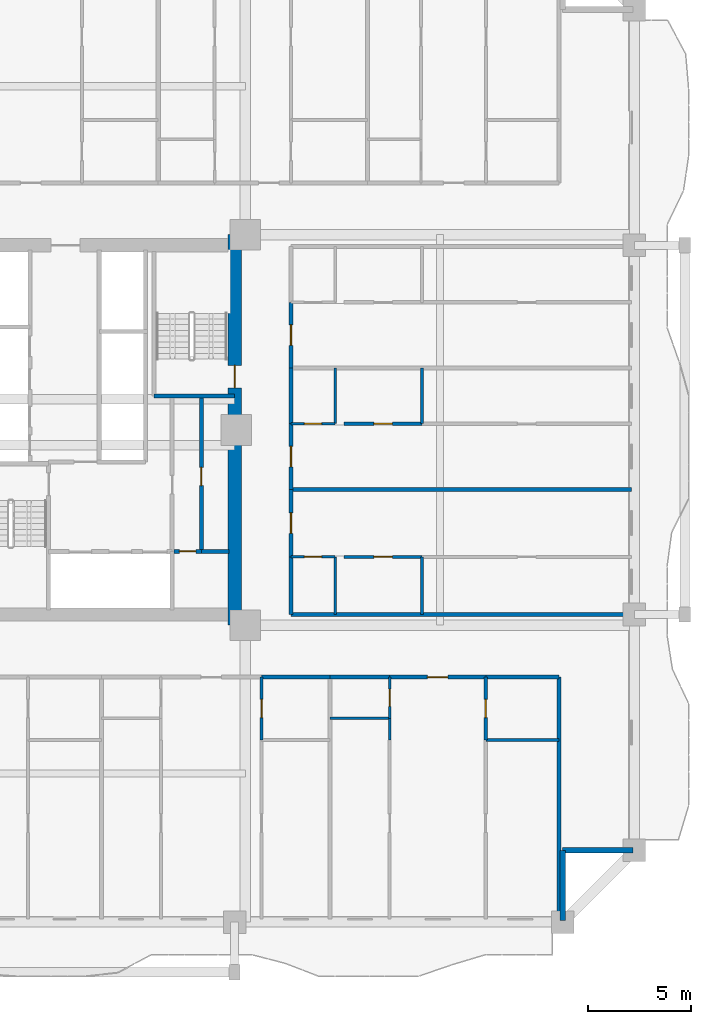
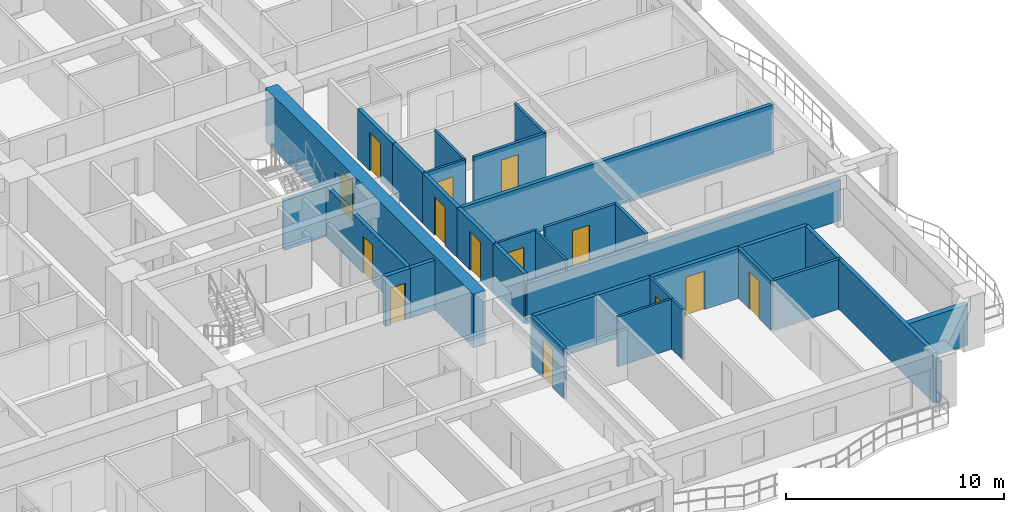
# One storey, part 5 of 18: 33 walls, 14 doors, 14 openings.
"""IFC4 building model written with IfcOpenShell, lengths in metres."""

from ifc_helpers import new_model, si_unit, direction, frame, frame_2d, origin, place, context, subcontext, project, spatial, rectangle, extrude, source, transform, mapped, material, layer, layer_set, type_object, element, fill, save


model = new_model("IFC4")

# Units and contexts
model_context = context("Model", 3, precision=1e-05, world=origin(), true_north=direction((0.0, 1.0)))
body_context = subcontext(model_context, "Body", "Model", "MODEL_VIEW")
ifc_project = project(units=[si_unit("LENGTHUNIT", "METRE"), si_unit("AREAUNIT", "SQUARE_METRE"), si_unit("VOLUMEUNIT", "CUBIC_METRE"), si_unit("PLANEANGLEUNIT", "RADIAN"), si_unit("MASSUNIT", "GRAM", prefix="KILO")], contexts=[model_context])

# Site, building, storey
site_placement = place(None, origin())
site = spatial("IfcSite", under=ifc_project, at=site_placement, CompositionType="ELEMENT")
building_placement = place(site_placement, origin())
building = spatial("IfcBuilding", under=site, at=building_placement, Name="Saelheon Loggia Tower", CompositionType="ELEMENT")
storey_placement = place(building_placement, frame((0.0, 0.0, 40.39990234375)))
storey = spatial("IfcBuildingStorey", under=building, at=storey_placement, Name="L12", CompositionType="ELEMENT", Elevation=40.39990234375)

# Wall, opening, door
ifc_material_1 = material(Name="Concrete C60/75", Category="concrete")
ifc_layer_1 = layer(ifc_material_1, 0.64990234375)
ifc_layer_set_1 = layer_set([ifc_layer_1], Name="Concrete C60/75")
wall_type_1 = type_object("IfcWallType", Name="Wall_CoreShear_650", PredefinedType="SHEAR", material=ifc_layer_set_1)
wall_1_placement = place(storey_placement, frame((44.5, 17.47998046875, 0.0), z_axis=(0.0, 0.0, 1.0), x_axis=(0.0, 1.0, 0.0)))
wall_1 = element("IfcWall", 1, at=wall_1_placement, inside=storey, type_object=wall_type_1, Name="L12 Core Shear Wall East", PredefinedType="SHEAR", context=body_context, shape_type="SweptSolid", body=[
    extrude(rectangle(XDim=19.0400390625, YDim=0.64990234375, at=frame_2d((9.52001953125, 0.0))), origin(), (0.0, 0.0, 1.0), 3.0),
])
opening_1_placement = place(wall_1_placement, frame((12.670166015625, 0.0, 0.0), z_axis=(0.0, 0.0, 1.0), x_axis=(-1.0, 0.0, 0.0)))
opening_1 = element("IfcOpeningElement", 2, at=opening_1_placement, cuts=wall_1, Name="Opening D-FD2", PredefinedType="OPENING", context=body_context, shape_type="SweptSolid", body=[
    extrude(rectangle(XDim=1.10009765625, YDim=2.14990234375, at=frame_2d((0.550048828125, 1.074951171875))), frame((0.0, 0.3369140625, 0.0), z_axis=(0.0, -1.0, 0.0), x_axis=(1.0, 0.0, 0.0)), (0.0, 0.0, 1.0), 0.673828125),
])
ifc_material_2 = material(Name="Galvanised Steel Fire Door", Category="steel")
door_type_1 = type_object("IfcDoorType", Name="Door_Fire_FD60_1100", OperationType="NOTDEFINED", PredefinedType="DOOR", material=ifc_material_2)
shared_shape_1 = source(origin(), body_context, "Body", "SweptSolid", [
    extrude(rectangle(XDim=1.10009765625, YDim=2.14990234375, at=frame_2d((0.550048828125, 1.074951171875))), frame((0.0, 0.02490234375, 0.0), z_axis=(0.0, -1.0, 0.0), x_axis=(1.0, 0.0, 0.0)), (0.0, 0.0, 1.0), 0.050048828125),
])
door_1_placement = place(opening_1_placement, origin())
door_1 = element("IfcDoor", 3, at=door_1_placement, inside=storey, type_object=door_type_1, Name="L12 Stair ST2 Corridor Door", OperationType="SINGLE_SWING_RIGHT", OverallHeight=2.14990234375, OverallWidth=1.10009765625, PredefinedType="DOOR", context=body_context, shape_type="MappedRepresentation", body=[
    mapped(shared_shape_1, transform((0.0, 0.0, 0.0), scale=1.0)),
])
fill(opening_1, door_1)

# Walls
ifc_material_3 = material(Name="Architectural Precast Concrete C40/50", Category="concrete")
ifc_layer_2 = layer(ifc_material_3, 0.280029296875)
ifc_layer_set_2 = layer_set([ifc_layer_2], Name="Architectural Precast Concrete C40/50")
wall_type_2 = type_object("IfcWallType", Name="Wall_Ext_Loggia_280", PredefinedType="SOLIDWALL", material=ifc_layer_set_2)
for number, where, z_axis, x_axis, name in (
    (4, (60.5, 3.080078125, 0.0), (0.0, 0.0, 1.0), (0.0, 1.0, 0.0), "L12 Corner Notch Precast Wall SE1"),
    (5, (60.5, 6.5, 0.0), (0.0, 0.0, 1.0), (1.0, 0.0, 0.0), "L12 Corner Notch Precast Wall SE2"),
):
    element("IfcWall", number, at=place(storey_placement, frame(where, z_axis=z_axis, x_axis=x_axis)), inside=storey, type_object=wall_type_2, Name=name, PredefinedType="SOLIDWALL", context=body_context, shape_type="SweptSolid", body=[
        extrude(rectangle(XDim=3.419921875, YDim=0.280029296875, at=frame_2d((1.7099609375, 0.0))), origin(), (0.0, 0.0, 1.0), 2.280029296875),
    ])

# Wall, opening, door
ifc_material_4 = material(Name="Lightweight Autoclaved Aerated Concrete Block and Acoustic Gypsum", Category="concrete")
ifc_layer_3 = layer(ifc_material_4, 0.14990234375)
ifc_layer_set_3 = layer_set([ifc_layer_3], Name="Lightweight Autoclaved Aerated Concrete Block and Acoustic Gypsum")
wall_type_3 = type_object("IfcWallType", Name="Wall_Part_150", PredefinedType="PARTITIONING", material=ifc_layer_set_3)
wall_2_placement = place(storey_placement, frame((45.820068359375, 14.949951171875, 0.0), z_axis=(0.0, 0.0, 1.0), x_axis=(0.0, -1.0, 0.0)))
wall_2 = element("IfcWall", 6, at=wall_2_placement, inside=storey, type_object=wall_type_3, Name="L12 S Partition U33", PredefinedType="PARTITIONING", context=body_context, shape_type="SweptSolid", body=[
    extrude(rectangle(XDim=3.070068359375, YDim=0.14990234375, at=frame_2d((1.53515625, 0.0))), origin(), (0.0, 0.0, 1.0), 2.7900390625),
])
opening_2_placement = place(wall_2_placement, frame((1.0849609375, 0.0, 0.0)))
opening_2 = element("IfcOpeningElement", 7, at=opening_2_placement, cuts=wall_2, Name="Opening D-IN2", PredefinedType="OPENING", context=body_context, shape_type="SweptSolid", body=[
    extrude(rectangle(XDim=0.89990234375, YDim=2.10009765625, at=frame_2d((0.449951171875, 1.050048828125))), frame((0.0, 0.0869140625, 0.0), z_axis=(0.0, -1.0, 0.0), x_axis=(1.0, 0.0, 0.0)), (0.0, 0.0, 1.0), 0.173828125),
])
ifc_material_5 = material(Name="Engineered Oak Flush Door", Category="timber")
door_type_2 = type_object("IfcDoorType", Name="Door_Int_900", OperationType="NOTDEFINED", PredefinedType="DOOR", material=ifc_material_5)
shared_shape_2 = source(origin(), body_context, "Body", "SweptSolid", [
    extrude(rectangle(XDim=0.89990234375, YDim=2.10009765625, at=frame_2d((0.449951171875, 1.050048828125))), frame((0.0, 0.02490234375, 0.0), z_axis=(0.0, -1.0, 0.0), x_axis=(1.0, 0.0, 0.0)), (0.0, 0.0, 1.0), 0.050048828125),
])
door_2_placement = place(opening_2_placement, origin())
door_2 = element("IfcDoor", 8, at=door_2_placement, inside=storey, type_object=door_type_2, Name="Unit U03 Kitchen Door", OperationType="SINGLE_SWING_RIGHT", OverallHeight=2.10009765625, OverallWidth=0.89990234375, PredefinedType="DOOR", context=body_context, shape_type="MappedRepresentation", body=[
    mapped(shared_shape_2, transform((0.0, 0.0, 0.0), scale=1.0)),
])
fill(opening_2, door_2)

# Wall
wall_3_placement = place(storey_placement, frame((56.748779296875, 11.8798828125, 0.0), z_axis=(0.0, 0.0, 1.0), x_axis=(1.0, 0.0, 0.0)))
element("IfcWall", 9, at=wall_3_placement, inside=storey, type_object=wall_type_3, Name="L12 S Partition V40", PredefinedType="PARTITIONING", context=body_context, shape_type="SweptSolid", body=[
    extrude(rectangle(XDim=3.5712890625, YDim=0.14990234375, at=frame_2d((1.78564453125, 0.0))), origin(), (0.0, 0.0, 1.0), 2.7900390625),
])

# Wall, opening, door
wall_4_placement = place(storey_placement, frame((56.748779296875, 14.949951171875, 0.0), z_axis=(0.0, 0.0, 1.0), x_axis=(0.0, -1.0, 0.0)))
wall_4 = element("IfcWall", 10, at=wall_4_placement, inside=storey, type_object=wall_type_3, Name="L12 S Partition U44", PredefinedType="PARTITIONING", context=body_context, shape_type="SweptSolid", body=[
    extrude(rectangle(XDim=3.070068359375, YDim=0.14990234375, at=frame_2d((1.53515625, 0.0))), origin(), (0.0, 0.0, 1.0), 2.7900390625),
])
opening_3_placement = place(wall_4_placement, frame((1.0849609375, 0.0, 0.0)))
opening_3 = element("IfcOpeningElement", 11, at=opening_3_placement, cuts=wall_4, Name="Opening D-IN2", PredefinedType="OPENING", context=body_context, shape_type="SweptSolid", body=[
    extrude(rectangle(XDim=0.89990234375, YDim=2.10009765625, at=frame_2d((0.449951171875, 1.050048828125))), frame((0.0, 0.0869140625, 0.0), z_axis=(0.0, -1.0, 0.0), x_axis=(1.0, 0.0, 0.0)), (0.0, 0.0, 1.0), 0.173828125),
])
door_3_placement = place(opening_3_placement, origin())
door_3 = element("IfcDoor", 12, at=door_3_placement, inside=storey, type_object=door_type_2, Name="Unit U04 Kitchen Door", OperationType="SINGLE_SWING_LEFT", OverallHeight=2.10009765625, OverallWidth=0.89990234375, PredefinedType="DOOR", context=body_context, shape_type="MappedRepresentation", body=[
    mapped(shared_shape_2, transform((0.0, 0.0, 0.0), scale=1.0)),
])
fill(opening_3, door_3)

# Wall
wall_5_placement = place(storey_placement, frame((53.639892578125, 18.0, 0.0), z_axis=(0.0, 0.0, 1.0), x_axis=(0.0, 1.0, 0.0)))
element("IfcWall", 13, at=wall_5_placement, inside=storey, type_object=wall_type_3, Name="L12 E Partition V07", PredefinedType="PARTITIONING", context=body_context, shape_type="SweptSolid", body=[
    extrude(rectangle(XDim=2.807373046875, YDim=0.14990234375, at=frame_2d((1.40380859375, 0.0))), origin(), (0.0, 0.0, 1.0), 2.7900390625),
])

# Wall, opening, door
wall_6_placement = place(storey_placement, frame((49.840087890625, 20.807373046875, 0.0), z_axis=(0.0, 0.0, 1.0), x_axis=(1.0, 0.0, 0.0)))
wall_6 = element("IfcWall", 14, at=wall_6_placement, inside=storey, type_object=wall_type_3, Name="L12 E Partition U08", PredefinedType="PARTITIONING", context=body_context, shape_type="SweptSolid", body=[
    extrude(rectangle(XDim=3.7998046875, YDim=0.14990234375, at=frame_2d((1.89990234375, 0.0))), origin(), (0.0, 0.0, 1.0), 2.7900390625),
])
opening_4_placement = place(wall_6_placement, frame((1.449951171875, 0.0, 0.0)))
opening_4 = element("IfcOpeningElement", 15, at=opening_4_placement, cuts=wall_6, Name="Opening D-IN2", PredefinedType="OPENING", context=body_context, shape_type="SweptSolid", body=[
    extrude(rectangle(XDim=0.89990234375, YDim=2.10009765625, at=frame_2d((0.449951171875, 1.050048828125))), frame((0.0, 0.0869140625, 0.0), z_axis=(0.0, -1.0, 0.0), x_axis=(1.0, 0.0, 0.0)), (0.0, 0.0, 1.0), 0.173828125),
])
door_4_placement = place(opening_4_placement, origin())
door_4 = element("IfcDoor", 16, at=door_4_placement, inside=storey, type_object=door_type_2, Name="Unit U11 Kitchen Door", OperationType="SINGLE_SWING_RIGHT", OverallHeight=2.10009765625, OverallWidth=0.89990234375, PredefinedType="DOOR", context=body_context, shape_type="MappedRepresentation", body=[
    mapped(shared_shape_2, transform((0.0, 0.0, 0.0), scale=1.0)),
])
fill(opening_4, door_4)

# Wall
wall_7_placement = place(storey_placement, frame((53.639892578125, 27.3017578125, 0.0), z_axis=(0.0, 0.0, 1.0), x_axis=(0.0, 1.0, 0.0)))
element("IfcWall", 17, at=wall_7_placement, inside=storey, type_object=wall_type_3, Name="L12 E Partition V15", PredefinedType="PARTITIONING", context=body_context, shape_type="SweptSolid", body=[
    extrude(rectangle(XDim=2.724853515625, YDim=0.14990234375, at=frame_2d((1.3623046875, 0.0))), origin(), (0.0, 0.0, 1.0), 2.7900390625),
])

# Wall, opening, door
wall_8_placement = place(storey_placement, frame((49.840087890625, 27.3017578125, 0.0), z_axis=(0.0, 0.0, 1.0), x_axis=(1.0, 0.0, 0.0)))
wall_8 = element("IfcWall", 18, at=wall_8_placement, inside=storey, type_object=wall_type_3, Name="L12 E Partition U16", PredefinedType="PARTITIONING", context=body_context, shape_type="SweptSolid", body=[
    extrude(rectangle(XDim=3.7998046875, YDim=0.14990234375, at=frame_2d((1.89990234375, 0.0))), origin(), (0.0, 0.0, 1.0), 2.7900390625),
])
opening_5_placement = place(wall_8_placement, frame((1.449951171875, 0.0, 0.0)))
opening_5 = element("IfcOpeningElement", 19, at=opening_5_placement, cuts=wall_8, Name="Opening D-IN2", PredefinedType="OPENING", context=body_context, shape_type="SweptSolid", body=[
    extrude(rectangle(XDim=0.89990234375, YDim=2.10009765625, at=frame_2d((0.449951171875, 1.050048828125))), frame((0.0, 0.0869140625, 0.0), z_axis=(0.0, -1.0, 0.0), x_axis=(1.0, 0.0, 0.0)), (0.0, 0.0, 1.0), 0.173828125),
])
door_5_placement = place(opening_5_placement, origin())
door_5 = element("IfcDoor", 20, at=door_5_placement, inside=storey, type_object=door_type_2, Name="Unit U12 Kitchen Door", OperationType="SINGLE_SWING_RIGHT", OverallHeight=2.10009765625, OverallWidth=0.89990234375, PredefinedType="DOOR", context=body_context, shape_type="MappedRepresentation", body=[
    mapped(shared_shape_2, transform((0.0, 0.0, 0.0), scale=1.0)),
])
fill(opening_5, door_5)

# Walls
ifc_material_6 = material(Name="Double Acoustic Stud and Fireboard Partition", Category="gypsum")
ifc_layer_4 = layer(ifc_material_6, 0.199951171875)
ifc_layer_set_4 = layer_set([ifc_layer_4], Name="Double Acoustic Stud and Fireboard Partition")
wall_type_4 = type_object("IfcWallType", Name="Wall_Party_200", PredefinedType="PARTITIONING", material=ifc_layer_set_4)
wall_9_placement = place(storey_placement, frame((60.320068359375, 14.949951171875, 0.0), z_axis=(0.0, 0.0, 1.0), x_axis=(0.0, -1.0, 0.0)))
element("IfcWall", 21, at=wall_9_placement, inside=storey, type_object=wall_type_4, Name="L12 S Partition U02", PredefinedType="PARTITIONING", context=body_context, shape_type="SweptSolid", body=[
    extrude(rectangle(XDim=11.800048828125, YDim=0.199951171875, at=frame_2d((5.89990234375, 0.0))), origin(), (0.0, 0.0, 1.0), 2.7900390625),
])
wall_10_placement = place(storey_placement, frame((45.820068359375, 14.949951171875, 0.0), z_axis=(0.0, 0.0, 1.0), x_axis=(1.0, 0.0, 0.0)))
element("IfcWall", 22, at=wall_10_placement, inside=storey, type_object=wall_type_4, Name="L12 S Partition V27", PredefinedType="PARTITIONING", context=body_context, shape_type="SweptSolid", body=[
    extrude(rectangle(XDim=3.33984375, YDim=0.199951171875, at=frame_2d((1.669921875, 0.0))), origin(), (0.0, 0.0, 1.0), 2.7900390625),
])
wall_11_placement = place(storey_placement, frame((49.159912109375, 14.949951171875, 0.0), z_axis=(0.0, 0.0, 1.0), x_axis=(1.0, 0.0, 0.0)))
element("IfcWall", 23, at=wall_11_placement, inside=storey, type_object=wall_type_4, Name="L12 S Partition V36", PredefinedType="PARTITIONING", context=body_context, shape_type="SweptSolid", body=[
    extrude(rectangle(XDim=2.901611328125, YDim=0.199951171875, at=frame_2d((1.45068359375, 0.0))), origin(), (0.0, 0.0, 1.0), 2.7900390625),
])

# Wall, opening, door
wall_12_placement = place(storey_placement, frame((52.0615234375, 14.949951171875, 0.0), z_axis=(0.0, 0.0, 1.0), x_axis=(1.0, 0.0, 0.0)))
wall_12 = element("IfcWall", 24, at=wall_12_placement, inside=storey, type_object=wall_type_4, Name="L12 S Partition V37", PredefinedType="PARTITIONING", context=body_context, shape_type="SweptSolid", body=[
    extrude(rectangle(XDim=4.687255859375, YDim=0.199951171875, at=frame_2d((2.34375, 0.0))), origin(), (0.0, 0.0, 1.0), 2.7900390625),
])
opening_6_placement = place(wall_12_placement, frame((1.843505859375, 0.0, 0.0)))
opening_6 = element("IfcOpeningElement", 25, at=opening_6_placement, cuts=wall_12, Name="Opening D-FD1", PredefinedType="OPENING", context=body_context, shape_type="SweptSolid", body=[
    extrude(rectangle(XDim=1.0, YDim=2.14990234375, at=frame_2d((0.5, 1.074951171875))), frame((0.0, 0.112060546875, 0.0), z_axis=(0.0, -1.0, 0.0), x_axis=(1.0, 0.0, 0.0)), (0.0, 0.0, 1.0), 0.223876953125),
])
ifc_material_7 = material(Name="Fire-Rated Engineered Timber Entrance Door", Category="wood")
door_type_3 = type_object("IfcDoorType", Name="Door_Flat_FD30S", OperationType="NOTDEFINED", PredefinedType="DOOR", material=ifc_material_7)
shared_shape_3 = source(origin(), body_context, "Body", "SweptSolid", [
    extrude(rectangle(XDim=1.0, YDim=2.14990234375, at=frame_2d((0.5, 1.074951171875))), frame((0.0, 0.02490234375, 0.0), z_axis=(0.0, -1.0, 0.0), x_axis=(1.0, 0.0, 0.0)), (0.0, 0.0, 1.0), 0.050048828125),
])
door_6_placement = place(opening_6_placement, origin())
door_6 = element("IfcDoor", 26, at=door_6_placement, inside=storey, type_object=door_type_3, Name="Unit U04 Entrance Door", OperationType="SINGLE_SWING_RIGHT", OverallHeight=2.14990234375, OverallWidth=1.0, PredefinedType="DOOR", context=body_context, shape_type="MappedRepresentation", body=[
    mapped(shared_shape_3, transform((0.0, 0.0, 0.0), scale=1.0)),
])
fill(opening_6, door_6)

# Walls
wall_13_placement = place(storey_placement, frame((56.748779296875, 14.949951171875, 0.0), z_axis=(0.0, 0.0, 1.0), x_axis=(1.0, 0.0, 0.0)))
element("IfcWall", 27, at=wall_13_placement, inside=storey, type_object=wall_type_4, Name="L12 S Partition V38", PredefinedType="PARTITIONING", context=body_context, shape_type="SweptSolid", body=[
    extrude(rectangle(XDim=3.5712890625, YDim=0.199951171875, at=frame_2d((1.78564453125, 0.0))), origin(), (0.0, 0.0, 1.0), 2.7900390625),
])
wall_14_placement = place(storey_placement, frame((47.25, 18.0, 0.0), z_axis=(0.0, 0.0, 1.0), x_axis=(1.0, 0.0, 0.0)))
element("IfcWall", 28, at=wall_14_placement, inside=storey, type_object=wall_type_4, Name="L12 E Partition U01", PredefinedType="PARTITIONING", context=body_context, shape_type="SweptSolid", body=[
    extrude(rectangle(XDim=16.60009765625, YDim=0.199951171875, at=frame_2d((8.300048828125, 0.0))), origin(), (0.0, 0.0, 1.0), 2.239990234375),
])
wall_15_placement = place(storey_placement, frame((47.25, 18.0, 0.0), z_axis=(0.0, 0.0, 1.0), x_axis=(0.0, 1.0, 0.0)))
element("IfcWall", 29, at=wall_15_placement, inside=storey, type_object=wall_type_4, Name="L12 E Partition V03", PredefinedType="PARTITIONING", context=body_context, shape_type="SweptSolid", body=[
    extrude(rectangle(XDim=2.807373046875, YDim=0.199951171875, at=frame_2d((1.40380859375, 0.0))), origin(), (0.0, 0.0, 1.0), 2.7900390625),
])

# Wall, opening, door
wall_16_placement = place(storey_placement, frame((47.25, 20.807373046875, 0.0), z_axis=(0.0, 0.0, 1.0), x_axis=(0.0, 1.0, 0.0)))
wall_16 = element("IfcWall", 30, at=wall_16_placement, inside=storey, type_object=wall_type_4, Name="L12 E Partition V04", PredefinedType="PARTITIONING", context=body_context, shape_type="SweptSolid", body=[
    extrude(rectangle(XDim=3.295654296875, YDim=0.199951171875, at=frame_2d((1.64794921875, 0.0))), origin(), (0.0, 0.0, 1.0), 2.7900390625),
])
opening_7_placement = place(wall_16_placement, frame((1.147705078125, 0.0, 0.0)))
opening_7 = element("IfcOpeningElement", 31, at=opening_7_placement, cuts=wall_16, Name="Opening D-FD1", PredefinedType="OPENING", context=body_context, shape_type="SweptSolid", body=[
    extrude(rectangle(XDim=1.0, YDim=2.14990234375, at=frame_2d((0.5, 1.074951171875))), frame((0.0, 0.112060546875, 0.0), z_axis=(0.0, -1.0, 0.0), x_axis=(1.0, 0.0, 0.0)), (0.0, 0.0, 1.0), 0.223876953125),
])
door_7_placement = place(opening_7_placement, origin())
door_7 = element("IfcDoor", 32, at=door_7_placement, inside=storey, type_object=door_type_3, Name="Unit U11 Entrance Door", OperationType="SINGLE_SWING_RIGHT", OverallHeight=2.14990234375, OverallWidth=1.0, PredefinedType="DOOR", context=body_context, shape_type="MappedRepresentation", body=[
    mapped(shared_shape_3, transform((0.0, 0.0, 0.0), scale=1.0)),
])
fill(opening_7, door_7)

# Wall
wall_17_placement = place(storey_placement, frame((47.25, 24.10302734375, 0.0), z_axis=(0.0, 0.0, 1.0), x_axis=(1.0, 0.0, 0.0)))
element("IfcWall", 33, at=wall_17_placement, inside=storey, type_object=wall_type_4, Name="L12 E Partition U10", PredefinedType="PARTITIONING", context=body_context, shape_type="SweptSolid", body=[
    extrude(rectangle(XDim=16.60009765625, YDim=0.199951171875, at=frame_2d((8.300048828125, 0.0))), origin(), (0.0, 0.0, 1.0), 2.7900390625),
])

# Wall, opening, door
wall_18_placement = place(storey_placement, frame((47.25, 24.10302734375, 0.0), z_axis=(0.0, 0.0, 1.0), x_axis=(0.0, 1.0, 0.0)))
wall_18 = element("IfcWall", 34, at=wall_18_placement, inside=storey, type_object=wall_type_4, Name="L12 E Partition V11", PredefinedType="PARTITIONING", context=body_context, shape_type="SweptSolid", body=[
    extrude(rectangle(XDim=3.19873046875, YDim=0.199951171875, at=frame_2d((1.599365234375, 0.0))), origin(), (0.0, 0.0, 1.0), 2.7900390625),
])
opening_8_placement = place(wall_18_placement, frame((1.099365234375, 0.0, 0.0)))
opening_8 = element("IfcOpeningElement", 35, at=opening_8_placement, cuts=wall_18, Name="Opening D-FD1", PredefinedType="OPENING", context=body_context, shape_type="SweptSolid", body=[
    extrude(rectangle(XDim=1.0, YDim=2.14990234375, at=frame_2d((0.5, 1.074951171875))), frame((0.0, 0.112060546875, 0.0), z_axis=(0.0, -1.0, 0.0), x_axis=(1.0, 0.0, 0.0)), (0.0, 0.0, 1.0), 0.223876953125),
])
door_8_placement = place(opening_8_placement, origin())
door_8 = element("IfcDoor", 36, at=door_8_placement, inside=storey, type_object=door_type_3, Name="Unit U12 Entrance Door", OperationType="SINGLE_SWING_RIGHT", OverallHeight=2.14990234375, OverallWidth=1.0, PredefinedType="DOOR", context=body_context, shape_type="MappedRepresentation", body=[
    mapped(shared_shape_3, transform((0.0, 0.0, 0.0), scale=1.0)),
])
fill(opening_8, door_8)

# Wall
wall_19_placement = place(storey_placement, frame((47.25, 27.3017578125, 0.0), z_axis=(0.0, 0.0, 1.0), x_axis=(0.0, 1.0, 0.0)))
element("IfcWall", 37, at=wall_19_placement, inside=storey, type_object=wall_type_4, Name="L12 E Partition V12", PredefinedType="PARTITIONING", context=body_context, shape_type="SweptSolid", body=[
    extrude(rectangle(XDim=2.724853515625, YDim=0.199951171875, at=frame_2d((1.3623046875, 0.0))), origin(), (0.0, 0.0, 1.0), 2.7900390625),
])

# Wall, opening, door
wall_20_placement = place(storey_placement, frame((47.25, 30.026611328125, 0.0), z_axis=(0.0, 0.0, 1.0), x_axis=(0.0, 1.0, 0.0)))
wall_20 = element("IfcWall", 38, at=wall_20_placement, inside=storey, type_object=wall_type_4, Name="L12 E Partition V19", PredefinedType="PARTITIONING", context=body_context, shape_type="SweptSolid", body=[
    extrude(rectangle(XDim=3.198486328125, YDim=0.199951171875, at=frame_2d((1.59912109375, 0.0))), origin(), (0.0, 0.0, 1.0), 2.7900390625),
])
opening_9_placement = place(wall_20_placement, frame((1.099365234375, 0.0, 0.0)))
opening_9 = element("IfcOpeningElement", 39, at=opening_9_placement, cuts=wall_20, Name="Opening D-FD1", PredefinedType="OPENING", context=body_context, shape_type="SweptSolid", body=[
    extrude(rectangle(XDim=1.0, YDim=2.14990234375, at=frame_2d((0.5, 1.074951171875))), frame((0.0, 0.112060546875, 0.0), z_axis=(0.0, -1.0, 0.0), x_axis=(1.0, 0.0, 0.0)), (0.0, 0.0, 1.0), 0.223876953125),
])
door_9_placement = place(opening_9_placement, origin())
door_9 = element("IfcDoor", 40, at=door_9_placement, inside=storey, type_object=door_type_3, Name="Unit U13 Entrance Door", OperationType="SINGLE_SWING_RIGHT", OverallHeight=2.14990234375, OverallWidth=1.0, PredefinedType="DOOR", context=body_context, shape_type="MappedRepresentation", body=[
    mapped(shared_shape_3, transform((0.0, 0.0, 0.0), scale=1.0)),
])
fill(opening_9, door_9)

ifc_material_8 = material(Name="Concrete C40/50", Category="concrete")
ifc_layer_5 = layer(ifc_material_8, 0.199951171875)
ifc_layer_set_5 = layer_set([ifc_layer_5], Name="Concrete C40/50")
wall_type_5 = type_object("IfcWallType", Name="Wall_Shaft_200", PredefinedType="PARTITIONING", material=ifc_layer_set_5)
wall_21_placement = place(storey_placement, frame((41.550048828125, 21.080078125, 0.0), z_axis=(0.0, 0.0, 1.0), x_axis=(1.0, 0.0, 0.0)))
wall_21 = element("IfcWall", 41, at=wall_21_placement, inside=storey, type_object=wall_type_5, Name="CW-BOH-L12-HS", PredefinedType="PARTITIONING", context=body_context, shape_type="SweptSolid", body=[
    extrude(rectangle(XDim=1.329833984375, YDim=0.199951171875, at=frame_2d((0.6650390625, 0.0))), origin(), (0.0, 0.0, 1.0), 2.7900390625),
])
opening_10_placement = place(wall_21_placement, frame((0.260009765625, 0.0, 0.0)))
opening_10 = element("IfcOpeningElement", 42, at=opening_10_placement, cuts=wall_21, Name="Opening D-ST1", PredefinedType="OPENING", context=body_context, shape_type="SweptSolid", body=[
    extrude(rectangle(XDim=0.800048828125, YDim=2.050048828125, at=frame_2d((0.39990234375, 1.02490234375))), frame((0.0, 0.112060546875, 0.0), z_axis=(0.0, -1.0, 0.0), x_axis=(1.0, 0.0, 0.0)), (0.0, 0.0, 1.0), 0.223876953125),
])
ifc_material_9 = material(Name="Powder-Coated Steel Store Door", Category="steel")
door_type_4 = type_object("IfcDoorType", Name="Door_Store_800", OperationType="NOTDEFINED", PredefinedType="DOOR", material=ifc_material_9)
shared_shape_4 = source(origin(), body_context, "Body", "SweptSolid", [
    extrude(rectangle(XDim=0.800048828125, YDim=2.050048828125, at=frame_2d((0.39990234375, 1.02490234375))), frame((0.0, 0.02490234375, 0.0), z_axis=(0.0, -1.0, 0.0), x_axis=(1.0, 0.0, 0.0)), (0.0, 0.0, 1.0), 0.050048828125),
])
door_10_placement = place(opening_10_placement, origin())
door_10 = element("IfcDoor", 43, at=door_10_placement, inside=storey, type_object=door_type_4, Name="L12 Electrical Riser Door", OperationType="SINGLE_SWING_RIGHT", OverallHeight=2.050048828125, OverallWidth=0.800048828125, PredefinedType="DOOR", context=body_context, shape_type="MappedRepresentation", body=[
    mapped(shared_shape_4, transform((0.0, 0.0, 0.0), scale=1.0)),
])
fill(opening_10, door_10)

# Wall
wall_22_placement = place(storey_placement, frame((42.8798828125, 21.080078125, 0.0), z_axis=(0.0, 0.0, 1.0), x_axis=(1.0, 0.0, 0.0)))
element("IfcWall", 44, at=wall_22_placement, inside=storey, type_object=wall_type_5, Name="CW-BOH-L12-HS2", PredefinedType="PARTITIONING", context=body_context, shape_type="SweptSolid", body=[
    extrude(rectangle(XDim=1.340087890625, YDim=0.199951171875, at=frame_2d((0.669921875, 0.0))), origin(), (0.0, 0.0, 1.0), 2.7900390625),
])

# Wall, opening, door
wall_23_placement = place(storey_placement, frame((42.8798828125, 21.080078125, 0.0), z_axis=(0.0, 0.0, 1.0), x_axis=(0.0, 1.0, 0.0)))
wall_23 = element("IfcWall", 45, at=wall_23_placement, inside=storey, type_object=wall_type_5, Name="CW-BOH-L12-VS", PredefinedType="PARTITIONING", context=body_context, shape_type="SweptSolid", body=[
    extrude(rectangle(XDim=7.469970703125, YDim=0.199951171875, at=frame_2d((3.73486328125, 0.0))), origin(), (0.0, 0.0, 1.0), 2.7900390625),
])
opening_11_placement = place(wall_23_placement, frame((3.199951171875, 0.0, 0.0)))
opening_11 = element("IfcOpeningElement", 46, at=opening_11_placement, cuts=wall_23, Name="Opening D-RS1", PredefinedType="OPENING", context=body_context, shape_type="SweptSolid", body=[
    extrude(rectangle(XDim=0.89990234375, YDim=2.10009765625, at=frame_2d((0.449951171875, 1.050048828125))), frame((0.0, 0.112060546875, 0.0), z_axis=(0.0, -1.0, 0.0), x_axis=(1.0, 0.0, 0.0)), (0.0, 0.0, 1.0), 0.223876953125),
])
ifc_material_10 = material(Name="Galvanised Steel Riser Access Door", Category="steel")
door_type_5 = type_object("IfcDoorType", Name="Door_Riser_FD60", OperationType="NOTDEFINED", PredefinedType="DOOR", material=ifc_material_10)
door_11_placement = place(opening_11_placement, origin())
door_11 = element("IfcDoor", 47, at=door_11_placement, inside=storey, type_object=door_type_5, Name="L12 Linen Store Door", OperationType="SINGLE_SWING_LEFT", OverallHeight=2.10009765625, OverallWidth=0.89990234375, PredefinedType="DOOR", context=body_context, shape_type="MappedRepresentation", body=[
    mapped(shared_shape_2, transform((0.0, 0.0, 0.0), scale=1.0)),
])
fill(opening_11, door_11)

# Walls
ifc_material_11 = material(Name="Concrete C45/55", Category="concrete")
ifc_layer_6 = layer(ifc_material_11, 0.199951171875)
ifc_layer_set_6 = layer_set([ifc_layer_6], Name="Concrete C45/55")
wall_type_6 = type_object("IfcWallType", Name="Wall_StairShaft_RC200", PredefinedType="SOLIDWALL", material=ifc_layer_set_6)
wall_24_placement = place(storey_placement, frame((40.570068359375, 28.64990234375, 0.0), z_axis=(0.0, 0.0, 1.0), x_axis=(1.0, 0.0, 0.0)))
element("IfcWall", 48, at=wall_24_placement, inside=storey, type_object=wall_type_6, Name="L12 Stair ST2 South Wall", PredefinedType="SOLIDWALL", context=body_context, shape_type="SweptSolid", body=[
    extrude(rectangle(XDim=3.929931640625, YDim=0.199951171875, at=frame_2d((1.96484375, 0.0))), origin(), (0.0, 0.0, 1.0), 2.7900390625),
])
ifc_material_12 = material(Name="Moisture-Resistant Cement Board Partition", Category="gypsum")
ifc_layer_7 = layer(ifc_material_12, 0.1201171875)
ifc_layer_set_7 = layer_set([ifc_layer_7], Name="Moisture-Resistant Cement Board Partition")
wall_type_7 = type_object("IfcWallType", Name="Wall_WetPart_120", PredefinedType="PARTITIONING", material=ifc_layer_set_7)
wall_25_placement = place(storey_placement, frame((49.159912109375, 12.929931640625, 0.0), z_axis=(0.0, 0.0, 1.0), x_axis=(1.0, 0.0, 0.0)))
element("IfcWall", 49, at=wall_25_placement, inside=storey, type_object=wall_type_7, Name="L12 S Partition V39", PredefinedType="PARTITIONING", context=body_context, shape_type="SweptSolid", body=[
    extrude(rectangle(XDim=2.901611328125, YDim=0.1201171875, at=frame_2d((1.45068359375, 0.0))), origin(), (0.0, 0.0, 1.0), 2.7900390625),
])

# Wall, opening, door
wall_26_placement = place(storey_placement, frame((52.0615234375, 14.949951171875, 0.0), z_axis=(0.0, 0.0, 1.0), x_axis=(0.0, -1.0, 0.0)))
wall_26 = element("IfcWall", 50, at=wall_26_placement, inside=storey, type_object=wall_type_7, Name="L12 S Partition U41", PredefinedType="PARTITIONING", context=body_context, shape_type="SweptSolid", body=[
    extrude(rectangle(XDim=2.02001953125, YDim=0.1201171875, at=frame_2d((1.010009765625, 0.0))), origin(), (0.0, 0.0, 1.0), 2.7900390625),
])
opening_12_placement = place(wall_26_placement, frame((0.5849609375, 0.0, 0.0)))
opening_12 = element("IfcOpeningElement", 51, at=opening_12_placement, cuts=wall_26, Name="Opening D-BT1", PredefinedType="OPENING", context=body_context, shape_type="SweptSolid", body=[
    extrude(rectangle(XDim=0.85009765625, YDim=2.050048828125, at=frame_2d((0.425048828125, 1.02490234375))), frame((0.0, 0.072021484375, 0.0), z_axis=(0.0, -1.0, 0.0), x_axis=(1.0, 0.0, 0.0)), (0.0, 0.0, 1.0), 0.14404296875),
])
ifc_material_13 = material(Name="Moisture-Resistant Laminate Timber Door", Category="wood")
door_type_6 = type_object("IfcDoorType", Name="Door_Bath_850", OperationType="NOTDEFINED", PredefinedType="DOOR", material=ifc_material_13)
shared_shape_5 = source(origin(), body_context, "Body", "SweptSolid", [
    extrude(rectangle(XDim=0.85009765625, YDim=2.050048828125, at=frame_2d((0.425048828125, 1.02490234375))), frame((0.0, 0.02490234375, 0.0), z_axis=(0.0, -1.0, 0.0), x_axis=(1.0, 0.0, 0.0)), (0.0, 0.0, 1.0), 0.050048828125),
])
door_12_placement = place(opening_12_placement, origin())
door_12 = element("IfcDoor", 52, at=door_12_placement, inside=storey, type_object=door_type_6, Name="Unit U04 Bathroom Door", OperationType="SINGLE_SWING_LEFT", OverallHeight=2.050048828125, OverallWidth=0.85009765625, PredefinedType="DOOR", context=body_context, shape_type="MappedRepresentation", body=[
    mapped(shared_shape_5, transform((0.0, 0.0, 0.0), scale=1.0)),
])
fill(opening_12, door_12)

# Wall
wall_27_placement = place(storey_placement, frame((52.0615234375, 12.929931640625, 0.0), z_axis=(0.0, 0.0, 1.0), x_axis=(0.0, -1.0, 0.0)))
element("IfcWall", 53, at=wall_27_placement, inside=storey, type_object=wall_type_7, Name="L12 S Partition U42", PredefinedType="PARTITIONING", context=body_context, shape_type="SweptSolid", body=[
    extrude(rectangle(XDim=1.050048828125, YDim=0.1201171875, at=frame_2d((0.52490234375, 0.0))), origin(), (0.0, 0.0, 1.0), 2.7900390625),
])

# Wall, opening, door
wall_28_placement = place(storey_placement, frame((47.25, 20.807373046875, 0.0), z_axis=(0.0, 0.0, 1.0), x_axis=(1.0, 0.0, 0.0)))
wall_28 = element("IfcWall", 54, at=wall_28_placement, inside=storey, type_object=wall_type_7, Name="L12 E Partition U05", PredefinedType="PARTITIONING", context=body_context, shape_type="SweptSolid", body=[
    extrude(rectangle(XDim=2.14990234375, YDim=0.1201171875, at=frame_2d((1.074951171875, 0.0))), origin(), (0.0, 0.0, 1.0), 2.7900390625),
])
opening_13_placement = place(wall_28_placement, frame((0.64990234375, 0.0, 0.0)))
opening_13 = element("IfcOpeningElement", 55, at=opening_13_placement, cuts=wall_28, Name="Opening D-BT1", PredefinedType="OPENING", context=body_context, shape_type="SweptSolid", body=[
    extrude(rectangle(XDim=0.85009765625, YDim=2.050048828125, at=frame_2d((0.425048828125, 1.02490234375))), frame((0.0, 0.072021484375, 0.0), z_axis=(0.0, -1.0, 0.0), x_axis=(1.0, 0.0, 0.0)), (0.0, 0.0, 1.0), 0.14404296875),
])
door_13_placement = place(opening_13_placement, origin())
door_13 = element("IfcDoor", 56, at=door_13_placement, inside=storey, type_object=door_type_6, Name="Unit U11 Bathroom Door", OperationType="SINGLE_SWING_LEFT", OverallHeight=2.050048828125, OverallWidth=0.85009765625, PredefinedType="DOOR", context=body_context, shape_type="MappedRepresentation", body=[
    mapped(shared_shape_5, transform((0.0, 0.0, 0.0), scale=1.0)),
])
fill(opening_13, door_13)

# Wall
wall_29_placement = place(storey_placement, frame((49.39990234375, 18.0, 0.0), z_axis=(0.0, 0.0, 1.0), x_axis=(0.0, 1.0, 0.0)))
element("IfcWall", 57, at=wall_29_placement, inside=storey, type_object=wall_type_7, Name="L12 E Partition V06", PredefinedType="PARTITIONING", context=body_context, shape_type="SweptSolid", body=[
    extrude(rectangle(XDim=2.807373046875, YDim=0.1201171875, at=frame_2d((1.40380859375, 0.0))), origin(), (0.0, 0.0, 1.0), 2.7900390625),
])

# Wall, opening, door
wall_30_placement = place(storey_placement, frame((47.25, 27.3017578125, 0.0), z_axis=(0.0, 0.0, 1.0), x_axis=(1.0, 0.0, 0.0)))
wall_30 = element("IfcWall", 58, at=wall_30_placement, inside=storey, type_object=wall_type_7, Name="L12 E Partition U13", PredefinedType="PARTITIONING", context=body_context, shape_type="SweptSolid", body=[
    extrude(rectangle(XDim=2.14990234375, YDim=0.1201171875, at=frame_2d((1.074951171875, 0.0))), origin(), (0.0, 0.0, 1.0), 2.7900390625),
])
opening_14_placement = place(wall_30_placement, frame((0.64990234375, 0.0, 0.0)))
opening_14 = element("IfcOpeningElement", 59, at=opening_14_placement, cuts=wall_30, Name="Opening D-BT1", PredefinedType="OPENING", context=body_context, shape_type="SweptSolid", body=[
    extrude(rectangle(XDim=0.85009765625, YDim=2.050048828125, at=frame_2d((0.425048828125, 1.02490234375))), frame((0.0, 0.072021484375, 0.0), z_axis=(0.0, -1.0, 0.0), x_axis=(1.0, 0.0, 0.0)), (0.0, 0.0, 1.0), 0.14404296875),
])
door_14_placement = place(opening_14_placement, origin())
door_14 = element("IfcDoor", 60, at=door_14_placement, inside=storey, type_object=door_type_6, Name="Unit U12 Bathroom Door", OperationType="SINGLE_SWING_LEFT", OverallHeight=2.050048828125, OverallWidth=0.85009765625, PredefinedType="DOOR", context=body_context, shape_type="MappedRepresentation", body=[
    mapped(shared_shape_5, transform((0.0, 0.0, 0.0), scale=1.0)),
])
fill(opening_14, door_14)

# Wall
wall_31_placement = place(storey_placement, frame((49.39990234375, 27.3017578125, 0.0), z_axis=(0.0, 0.0, 1.0), x_axis=(0.0, 1.0, 0.0)))
element("IfcWall", 61, at=wall_31_placement, inside=storey, type_object=wall_type_7, Name="L12 E Partition V14", PredefinedType="PARTITIONING", context=body_context, shape_type="SweptSolid", body=[
    extrude(rectangle(XDim=2.724853515625, YDim=0.1201171875, at=frame_2d((1.3623046875, 0.0))), origin(), (0.0, 0.0, 1.0), 2.7900390625),
])

save(model, "model.ifc")
